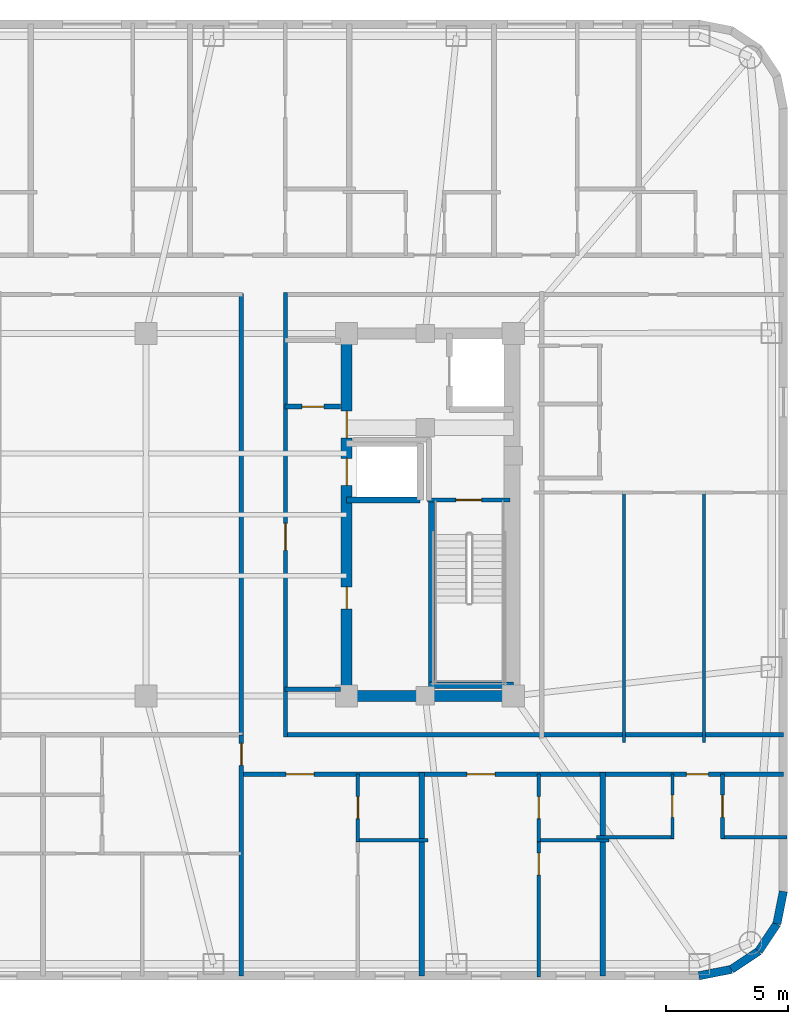
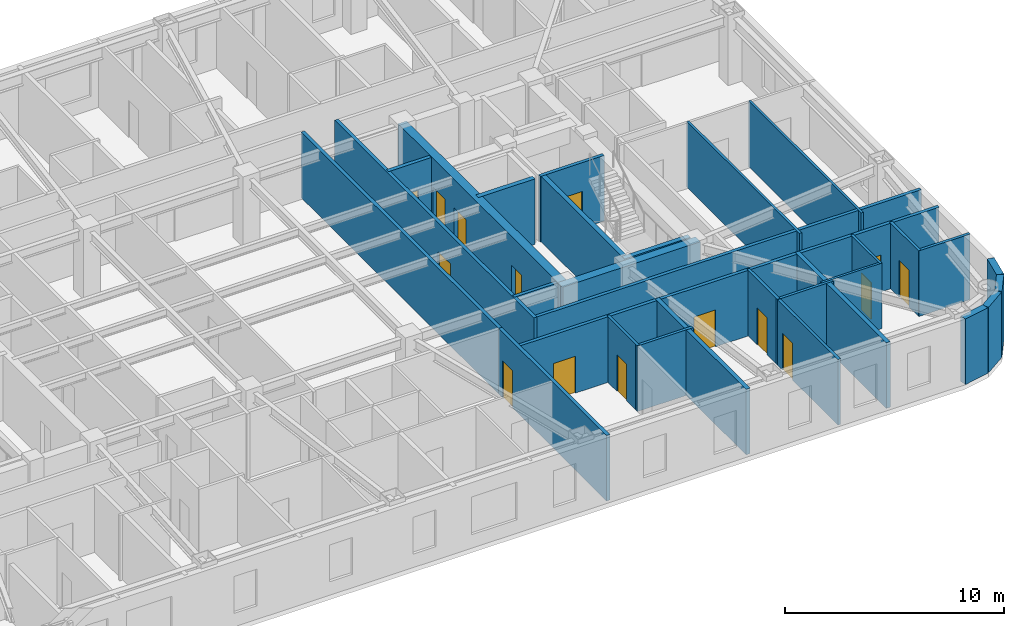
# One storey, part 6 of 11: 30 walls, 15 doors, 15 openings.
"""IFC4 building model written with IfcOpenShell, lengths in metres."""

import ifcopenshell
import ifcopenshell.guid

model = None  # the IFC model being written
_history = None  # IfcOwnerHistory: only IFC2X3 demands one
_inside = {}  # id of a spatial element -> (the spatial element, [elements in it])
_under = {}  # id of a project, library or spatial element -> (it, [spatial elements below it])
_declared = {}  # id of a project -> (the project, [libraries it declares])
_typed = {}  # id of a type object -> (the type object, [elements of that type])
_made_of = {}  # id of a material, layer set ... -> (it, [elements and type objects made of it])


def new_model(schema):
    """Start an empty IFC model of exactly this schema.

    Asked for "IFC4X3", IfcOpenShell would pick the latest addendum, in which some entities
    have other attributes; the version numbers below select the first issue.
    IFC2X3 requires an IfcOwnerHistory on every rooted entity: one is made here for all.
    """
    global model, _history
    if schema == "IFC4X3":
        model = ifcopenshell.file(schema_version=(4, 3, 0, 0))
    else:
        model = ifcopenshell.file(schema=schema)
    _inside.clear()
    _under.clear()
    _declared.clear()
    _typed.clear()
    _made_of.clear()
    _history = None
    if model.schema == "IFC2X3":
        org = make("IfcOrganization", Name="unknown")
        user = make(
            "IfcPersonAndOrganization",
            ThePerson=make("IfcPerson", FamilyName="unknown"),
            TheOrganization=org,
        )
        app = make(
            "IfcApplication",
            ApplicationDeveloper=org,
            Version="unknown",
            ApplicationFullName="unknown",
            ApplicationIdentifier="unknown",
        )
        _history = make(
            "IfcOwnerHistory",
            OwningUser=user,
            OwningApplication=app,
            ChangeAction="ADDED",
            CreationDate=0,
        )
    return model


def make(cls, **values):
    """One entity of the class cls with the attributes given. An attribute that is None is left unset."""
    return model.create_entity(
        cls, **{name: value for name, value in values.items() if value is not None}
    )


def rooted(cls, **values):
    """An entity with a GlobalId (a new one), such as an element, a storey or a relation."""
    return make(cls, GlobalId=ifcopenshell.guid.new(), OwnerHistory=_history, **values)


def si_unit(unit_type, name, prefix=None):
    """IfcSIUnit, for example si_unit("LENGTHUNIT", "METRE", prefix="MILLI")."""
    return make("IfcSIUnit", UnitType=unit_type, Prefix=prefix, Name=name)


def assignment(units):
    """IfcUnitAssignment: the units of a project."""
    return None if units is None else make("IfcUnitAssignment", Units=units)


def point(xyz):
    """IfcCartesianPoint."""
    return None if xyz is None else make("IfcCartesianPoint", Coordinates=xyz)


def direction(xyz):
    """IfcDirection."""
    return None if xyz is None else make("IfcDirection", DirectionRatios=xyz)


def frame(location, z_axis=None, x_axis=None):
    """IfcAxis2Placement3D, a coordinate frame: its origin and axes. An axis left out is left unset."""
    return make(
        "IfcAxis2Placement3D",
        Location=point(location),
        Axis=direction(z_axis),
        RefDirection=direction(x_axis),
    )


def frame_2d(location, x_axis=None):
    """IfcAxis2Placement2D, a coordinate frame in the plane: its origin and x axis."""
    return make(
        "IfcAxis2Placement2D", Location=point(location), RefDirection=direction(x_axis)
    )


def origin():
    """The frame at (0, 0, 0) with its axes left unset."""
    return frame((0.0, 0.0, 0.0))


def place(relative_to, where):
    """IfcLocalPlacement: puts the frame where relative to a parent placement (None: the world)."""
    return make(
        "IfcLocalPlacement", PlacementRelTo=relative_to, RelativePlacement=where
    )


def context(
    kind, dimensions, precision=None, world=None, true_north=None, identifier=None
):
    """IfcGeometricRepresentationContext, for example the 3D "Model" context."""
    return make(
        "IfcGeometricRepresentationContext",
        ContextIdentifier=identifier,
        ContextType=kind,
        CoordinateSpaceDimension=dimensions,
        Precision=precision,
        WorldCoordinateSystem=world,
        TrueNorth=true_north,
    )


def subcontext(parent, identifier, kind, view, scale=None):
    """IfcGeometricRepresentationSubContext, for example "Body" below "Model"."""
    return make(
        "IfcGeometricRepresentationSubContext",
        ContextIdentifier=identifier,
        ContextType=kind,
        ParentContext=parent,
        TargetScale=scale,
        TargetView=view,
    )


def project(units=None, contexts=None):
    """IfcProject with its units and contexts."""
    return rooted(
        "IfcProject",
        Name="project",
        RepresentationContexts=contexts,
        UnitsInContext=assignment(units),
    )


def spatial(cls, under=None, at=None, **own):
    """A site, building, storey or space (cls), placed at a placement, below another one or the project."""
    s = rooted(cls, ObjectPlacement=at, **own)
    if under is not None:
        _under.setdefault(under.id(), (under, []))[1].append(s)
    return s


def profile(cls, at=None, kind="AREA", **sizes):
    """A parametric profile (cls). Its sizes go by their IFC names, for example OverallWidth=200.0."""
    return make(cls, ProfileType=kind, Position=at, **sizes)


def rectangle(**sizes):
    """IfcRectangleProfileDef."""
    return profile("IfcRectangleProfileDef", **sizes)


def extrude(swept, where, along, depth):
    """IfcExtrudedAreaSolid: the profile swept, set in the frame where, extruded along a direction by depth."""
    return make(
        "IfcExtrudedAreaSolid",
        SweptArea=swept,
        Position=where,
        ExtrudedDirection=direction(along),
        Depth=depth,
    )


def shape(context_of_items, identifier, shape_type, items):
    """IfcShapeRepresentation: the items that make up one representation, for example the "Body"."""
    return make(
        "IfcShapeRepresentation",
        ContextOfItems=context_of_items,
        RepresentationIdentifier=identifier,
        RepresentationType=shape_type,
        Items=items,
    )


def material(Name=None, Category=None):
    """IfcMaterial."""
    return make("IfcMaterial", Name=Name, Category=Category)


def layer(
    of_material, thickness, ventilated=None, Name=None, Category=None, Priority=None
):
    """IfcMaterialLayer: one layer of a wall or slab, of a material (None: an air gap)."""
    return make(
        "IfcMaterialLayer",
        Material=of_material,
        LayerThickness=thickness,
        IsVentilated=ventilated,
        Name=Name,
        Category=Category,
        Priority=Priority,
    )


def layer_set(layers, Name=None):
    """IfcMaterialLayerSet."""
    return make("IfcMaterialLayerSet", MaterialLayers=layers, LayerSetName=Name)


def made_of(thing, what):
    """Note that an element or type object is made of a material, layer set ...; save() writes the relation."""
    if what is not None:
        _made_of.setdefault(what.id(), (what, []))[1].append(thing)
    return thing


def type_object(cls, material=None, **own):
    """A type object (cls), such as IfcWallType, which elements share."""
    return made_of(rooted(cls, **own), material)


def element(
    cls,
    number,
    at=None,
    inside=None,
    cuts=None,
    type_object=None,
    material=None,
    context=None,
    identifier="Body",
    shape_type=None,
    held_by="IfcProductDefinitionShape",
    body=None,
    shapes=None,
    **own,
):
    """One element of the class cls, such as IfcWall. Its Tag is "e" and its number.

    at: its placement. inside: the storey or other place that contains it. cuts: it is an
    opening in that element (IfcRelVoidsElement). A single representation is given by context,
    identifier, shape_type and body (its items); several are given by shapes. held_by: the class
    of the entity that holds the representations. save() writes the other relations.
    """
    e = rooted(cls, Tag="e%d" % number, ObjectPlacement=at, **own)
    if body is not None:
        shapes = [shape(context, identifier, shape_type, body)]
    if shapes is not None:
        e.Representation = make(held_by, Representations=shapes)
    if inside is not None:
        _inside.setdefault(inside.id(), (inside, []))[1].append(e)
    if cuts is not None:
        rooted(
            "IfcRelVoidsElement", RelatingBuildingElement=cuts, RelatedOpeningElement=e
        )
    if type_object is not None:
        _typed.setdefault(type_object.id(), (type_object, []))[1].append(e)
    return made_of(e, material)


def fill(opening, filler):
    """IfcRelFillsElement: the door or window that sits in an opening."""
    return rooted(
        "IfcRelFillsElement",
        RelatingOpeningElement=opening,
        RelatedBuildingElement=filler,
    )


def aggregate(whole, parts):
    """IfcRelAggregates: a whole, such as a stair, and the parts it consists of."""
    return rooted("IfcRelAggregates", RelatingObject=whole, RelatedObjects=parts)


def save(model, path):
    """Write the relations noted so far, then the file.

    IfcRelAggregates (storeys below a building ...), IfcRelContainedInSpatialStructure (elements
    in a storey), IfcRelDefinesByType, IfcRelAssociatesMaterial and IfcRelDeclares: one each for
    every whole, place, type object, material and project.
    """
    for whole, parts in _under.values():
        aggregate(whole, parts)
    for where, things in _inside.values():
        rooted(
            "IfcRelContainedInSpatialStructure",
            RelatedElements=things,
            RelatingStructure=where,
        )
    for kind, things in _typed.values():
        rooted("IfcRelDefinesByType", RelatedObjects=things, RelatingType=kind)
    for what, things in _made_of.values():
        rooted("IfcRelAssociatesMaterial", RelatedObjects=things, RelatingMaterial=what)
    for by, libraries in _declared.values():
        rooted("IfcRelDeclares", RelatingContext=by, RelatedDefinitions=libraries)
    model.write(path)


model = new_model("IFC4")

# Units and contexts
model_context = context("Model", 3, precision=1e-05, world=origin(), true_north=direction((0.0, 1.0)))
body_context = subcontext(model_context, "Body", "Model", "MODEL_VIEW")
ifc_project = project(units=[si_unit("LENGTHUNIT", "METRE"), si_unit("AREAUNIT", "SQUARE_METRE"), si_unit("VOLUMEUNIT", "CUBIC_METRE"), si_unit("PLANEANGLEUNIT", "RADIAN"), si_unit("MASSUNIT", "GRAM", prefix="KILO")], contexts=[model_context])

# Site, building, storey
site_placement = place(None, origin())
site = spatial("IfcSite", under=ifc_project, at=site_placement, CompositionType="ELEMENT")
building_placement = place(site_placement, origin())
building = spatial("IfcBuilding", under=site, at=building_placement, Name="Voryun Gate Residences", CompositionType="ELEMENT")
storey_placement = place(building_placement, frame((0.0, 0.0, 247.0)))
storey = spatial("IfcBuildingStorey", under=building, at=storey_placement, Name="L61", CompositionType="ELEMENT", Elevation=247.0)

# Wall
ifc_material_1 = material(Name="Concrete C50/60", Category="concrete")
ifc_layer_1 = layer(ifc_material_1, 0.449951171875, Name="CW_CORE_450")
ifc_layer_set_1 = layer_set([ifc_layer_1], Name="Concrete C50/60")
wall_type_1 = type_object("IfcWallType", Name="CW_CORE_450", PredefinedType="SHEAR", material=ifc_layer_set_1)
wall_1_placement = place(storey_placement, frame((12.175048828125, -7.39990234375, 0.0), z_axis=(0.0, 0.0, 1.0), x_axis=(1.0, 0.0, 0.0)))
element("IfcWall", 1, at=wall_1_placement, inside=storey, type_object=wall_type_1, Name="L61 Core shear wall CW-L61-ES", PredefinedType="SHEAR", context=body_context, shape_type="SweptSolid", body=[
    extrude(rectangle(XDim=7.25, YDim=0.449951171875, at=frame_2d((3.625, 0.0))), origin(), (0.0, 0.0, 1.0), 3.64990234375),
])

# Wall, openings, doors
wall_2_placement = place(storey_placement, frame((12.39990234375, -7.39990234375, 0.0), z_axis=(0.0, 0.0, 1.0), x_axis=(0.0, 1.0, 0.0)))
wall_2 = element("IfcWall", 2, at=wall_2_placement, inside=storey, type_object=wall_type_1, Name="L61 Core shear wall CW-L61-EW", PredefinedType="SHEAR", context=body_context, shape_type="SweptSolid", body=[
    extrude(rectangle(XDim=14.7998046875, YDim=0.449951171875, at=frame_2d((7.39990234375, 0.0))), origin(), (0.0, 0.0, 1.0), 3.64990234375),
])
opening_1_placement = place(wall_2_placement, frame((8.60009765625, 0.0, 0.0)))
opening_1 = element("IfcOpeningElement", 3, at=opening_1_placement, cuts=wall_2, Name="Opening LD2", PredefinedType="OPENING", context=body_context, shape_type="SweptSolid", body=[
    extrude(rectangle(XDim=1.10009765625, YDim=2.050048828125, at=frame_2d((0.550048828125, 1.02490234375))), frame((0.0, 0.235107421875, 0.0), z_axis=(0.0, -1.0, 0.0), x_axis=(1.0, 0.0, 0.0)), (0.0, 0.0, 1.0), 0.469970703125),
])
opening_2_placement = place(wall_2_placement, frame((10.530029296875, 0.0, 0.0)))
opening_2 = element("IfcOpeningElement", 4, at=opening_2_placement, cuts=wall_2, Name="Opening D-FD60-2", PredefinedType="OPENING", context=body_context, shape_type="SweptSolid", body=[
    extrude(rectangle(XDim=1.10009765625, YDim=2.050048828125, at=frame_2d((0.550048828125, 1.02490234375))), frame((0.0, 0.235107421875, 0.0), z_axis=(0.0, -1.0, 0.0), x_axis=(1.0, 0.0, 0.0)), (0.0, 0.0, 1.0), 0.469970703125),
])
opening_3_placement = place(wall_2_placement, frame((3.550048828125, 0.0, 0.0)))
opening_3 = element("IfcOpeningElement", 5, at=opening_3_placement, cuts=wall_2, Name="Opening D-FD60-4", PredefinedType="OPENING", context=body_context, shape_type="SweptSolid", body=[
    extrude(rectangle(XDim=0.89990234375, YDim=2.050048828125, at=frame_2d((0.449951171875, 1.02490234375))), frame((0.0, 0.235107421875, 0.0), z_axis=(0.0, -1.0, 0.0), x_axis=(1.0, 0.0, 0.0)), (0.0, 0.0, 1.0), 0.469970703125),
])
ifc_material_2 = material(Name="Painted steel fire door", Category="steel")
door_type_1 = type_object("IfcDoorType", Name="DR_FD60_FFLOB_1100", OperationType="NOTDEFINED", PredefinedType="DOOR", material=ifc_material_2)
door_1_placement = place(opening_2_placement, origin())
door_1 = element("IfcDoor", 6, at=door_1_placement, inside=storey, type_object=door_type_1, Name="Door DR-L61-CLOB-E", OperationType="SINGLE_SWING_RIGHT", OverallHeight=2.050048828125, OverallWidth=1.10009765625, PredefinedType="DOOR", context=body_context, shape_type="SweptSolid", body=[
    extrude(rectangle(XDim=1.10009765625, YDim=2.050048828125, at=frame_2d((0.550048828125, 1.02490234375))), frame((0.0, 0.02490234375, 0.0), z_axis=(0.0, -1.0, 0.0), x_axis=(1.0, 0.0, 0.0)), (0.0, 0.0, 1.0), 0.050048828125),
])
fill(opening_2, door_1)
ifc_material_3 = material(Name="Painted steel fire door", Category="steel")
door_type_2 = type_object("IfcDoorType", Name="DR_FD60_RISER_900", OperationType="NOTDEFINED", PredefinedType="DOOR", material=ifc_material_3)
door_2_placement = place(opening_3_placement, origin())
door_2 = element("IfcDoor", 7, at=door_2_placement, inside=storey, type_object=door_type_2, Name="Door DR-L61-RECE-HI", OperationType="SINGLE_SWING_RIGHT", OverallHeight=2.050048828125, OverallWidth=0.89990234375, PredefinedType="DOOR", context=body_context, shape_type="SweptSolid", body=[
    extrude(rectangle(XDim=0.89990234375, YDim=2.050048828125, at=frame_2d((0.449951171875, 1.02490234375))), frame((0.0, 0.02490234375, 0.0), z_axis=(0.0, -1.0, 0.0), x_axis=(1.0, 0.0, 0.0)), (0.0, 0.0, 1.0), 0.050048828125),
])
fill(opening_3, door_2)
ifc_material_4 = material(Name="Anodised aluminium", Category="aluminium")
door_type_3 = type_object("IfcDoorType", Name="DR_LD_PASS_1100", OperationType="NOTDEFINED", PredefinedType="DOOR", material=ifc_material_4)
door_3_placement = place(opening_1_placement, origin())
door_3 = element("IfcDoor", 8, at=door_3_placement, inside=storey, type_object=door_type_3, Name="Lift EL-P8 sliding landing door L61", OperationType="SLIDING_TO_LEFT", OverallHeight=2.050048828125, OverallWidth=1.10009765625, PredefinedType="DOOR", context=body_context, shape_type="SweptSolid", body=[
    extrude(rectangle(XDim=1.10009765625, YDim=2.050048828125, at=frame_2d((0.550048828125, 1.02490234375))), frame((0.0, 0.02490234375, 0.0), z_axis=(0.0, -1.0, 0.0), x_axis=(1.0, 0.0, 0.0)), (0.0, 0.0, 1.0), 0.050048828125),
])
fill(opening_1, door_3)

# Wall, opening, door
ifc_material_5 = material(Name="Gypsum acoustic fireboard")
ifc_layer_2 = layer(ifc_material_5, 0.179931640625, Name="W_CORR_RATED_180")
ifc_layer_set_2 = layer_set([ifc_layer_2], Name="Gypsum acoustic fireboard")
wall_type_2 = type_object("IfcWallType", Name="W_CORR_RATED_180", PredefinedType="PARTITIONING", material=ifc_layer_set_2)
wall_3_placement = place(storey_placement, frame((15.699951171875, 0.60009765625, 0.0), z_axis=(0.0, 0.0, 1.0), x_axis=(1.0, 0.0, 0.0)))
wall_3 = element("IfcWall", 9, at=wall_3_placement, inside=storey, type_object=wall_type_2, Name="Partition wall WP-L61-STV-E", PredefinedType="PARTITIONING", context=body_context, shape_type="SweptSolid", body=[
    extrude(rectangle(XDim=3.360107421875, YDim=0.179931640625, at=frame_2d((1.68017578125, 0.0))), origin(), (0.0, 0.0, 1.0), 3.64990234375),
])
opening_4_placement = place(wall_3_placement, frame((1.155029296875, 0.0, 0.0)))
opening_4 = element("IfcOpeningElement", 10, at=opening_4_placement, cuts=wall_3, Name="Opening D-FD60-1", PredefinedType="OPENING", context=body_context, shape_type="SweptSolid", body=[
    extrude(rectangle(XDim=1.050048828125, YDim=2.050048828125, at=frame_2d((0.52490234375, 1.02490234375))), frame((0.0, 0.099853515625, 0.0), z_axis=(0.0, -1.0, 0.0), x_axis=(1.0, 0.0, 0.0)), (0.0, 0.0, 1.0), 0.199951171875),
])
ifc_material_6 = material(Name="Painted steel fire door", Category="steel")
door_type_4 = type_object("IfcDoorType", Name="DR_FD60_STAIR_1050", OperationType="NOTDEFINED", PredefinedType="DOOR", material=ifc_material_6)
door_4_placement = place(opening_4_placement, origin())
door_4 = element("IfcDoor", 11, at=door_4_placement, inside=storey, type_object=door_type_4, Name="Door DR-L61-ST-E", OperationType="SINGLE_SWING_RIGHT", OverallHeight=2.050048828125, OverallWidth=1.050048828125, PredefinedType="DOOR", context=body_context, shape_type="SweptSolid", body=[
    extrude(rectangle(XDim=1.050048828125, YDim=2.050048828125, at=frame_2d((0.52490234375, 1.02490234375))), frame((0.0, 0.02490234375, 0.0), z_axis=(0.0, -1.0, 0.0), x_axis=(1.0, 0.0, 0.0)), (0.0, 0.0, 1.0), 0.050048828125),
])
fill(opening_4, door_4)

# Wall
wall_4_placement = place(storey_placement, frame((9.8798828125, -7.1201171875, 0.0), z_axis=(0.0, 0.0, 1.0), x_axis=(1.0, 0.0, 0.0)))
element("IfcWall", 12, at=wall_4_placement, inside=storey, type_object=wall_type_2, Name="Partition wall WP-L61-PLBS-E", PredefinedType="PARTITIONING", context=body_context, shape_type="SweptSolid", body=[
    extrude(rectangle(XDim=2.27001953125, YDim=0.179931640625, at=frame_2d((1.135009765625, 0.0))), origin(), (0.0, 0.0, 1.0), 3.64990234375),
])

# Wall, opening, door
wall_5_placement = place(storey_placement, frame((9.89990234375, -9.080078125, 0.0), z_axis=(0.0, 0.0, 1.0), x_axis=(0.0, 1.0, 0.0)))
wall_5 = element("IfcWall", 13, at=wall_5_placement, inside=storey, type_object=wall_type_2, Name="Partition wall WP-L61-PLBE-FULL", PredefinedType="PARTITIONING", context=body_context, shape_type="SweptSolid", body=[
    extrude(rectangle(XDim=18.16015625, YDim=0.179931640625, at=frame_2d((9.080078125, 0.0))), origin(), (0.0, 0.0, 1.0), 3.64990234375),
])
opening_5_placement = place(wall_5_placement, frame((7.6220703125, 0.0, 0.0)))
opening_5 = element("IfcOpeningElement", 14, at=opening_5_placement, cuts=wall_5, Name="Opening D-FD60-2", PredefinedType="OPENING", context=body_context, shape_type="SweptSolid", body=[
    extrude(rectangle(XDim=1.10009765625, YDim=2.050048828125, at=frame_2d((0.550048828125, 1.02490234375))), frame((0.0, 0.099853515625, 0.0), z_axis=(0.0, -1.0, 0.0), x_axis=(1.0, 0.0, 0.0)), (0.0, 0.0, 1.0), 0.199951171875),
])
door_5_placement = place(opening_5_placement, origin())
door_5 = element("IfcDoor", 15, at=door_5_placement, inside=storey, type_object=door_type_1, Name="Door DR-L61-PLBE-COR", OperationType="SINGLE_SWING_RIGHT", OverallHeight=2.050048828125, OverallWidth=1.10009765625, PredefinedType="DOOR", context=body_context, shape_type="SweptSolid", body=[
    extrude(rectangle(XDim=1.10009765625, YDim=2.050048828125, at=frame_2d((0.550048828125, 1.02490234375))), frame((0.0, 0.02490234375, 0.0), z_axis=(0.0, -1.0, 0.0), x_axis=(1.0, 0.0, 0.0)), (0.0, 0.0, 1.0), 0.050048828125),
])
fill(opening_5, door_5)

# Walls
wall_6_placement = place(storey_placement, frame((9.8798828125, -8.989990234375, 0.0), z_axis=(0.0, 0.0, 1.0), x_axis=(1.0, 0.0, 0.0)))
element("IfcWall", 16, at=wall_6_placement, inside=storey, type_object=wall_type_2, Name="Partition wall WP-L61-CWING-ES", PredefinedType="PARTITIONING", context=body_context, shape_type="SweptSolid", body=[
    extrude(rectangle(XDim=20.35009765625, YDim=0.179931640625, at=frame_2d((10.175048828125, 0.0))), origin(), (0.0, 0.0, 1.0), 3.64990234375),
])
wall_7_placement = place(storey_placement, frame((8.10009765625, -9.030029296875, 0.0), z_axis=(0.0, 0.0, 1.0), x_axis=(0.0, 1.0, 0.0)))
element("IfcWall", 17, at=wall_7_placement, inside=storey, type_object=wall_type_2, Name="Partition wall WP-L61-Z3E", PredefinedType="PARTITIONING", context=body_context, shape_type="SweptSolid", body=[
    extrude(rectangle(XDim=18.06005859375, YDim=0.179931640625, at=frame_2d((9.030029296875, 0.0))), origin(), (0.0, 0.0, 1.0), 3.64990234375),
])

# Wall, openings, doors
wall_8_placement = place(storey_placement, frame((8.080078125, -10.60009765625, 0.0), z_axis=(0.0, 0.0, 1.0), x_axis=(1.0, 0.0, 0.0)))
wall_8 = element("IfcWall", 18, at=wall_8_placement, inside=storey, type_object=wall_type_2, Name="Partition wall WP-L61-SCORR-E", PredefinedType="PARTITIONING", context=body_context, shape_type="SweptSolid", body=[
    extrude(rectangle(XDim=22.14990234375, YDim=0.179931640625, at=frame_2d((11.074951171875, 0.0))), origin(), (0.0, 0.0, 1.0), 3.64990234375),
])
opening_6_placement = place(wall_8_placement, frame((1.84375, 0.0, 0.0)))
opening_6 = element("IfcOpeningElement", 19, at=opening_6_placement, cuts=wall_8, Name="Opening D-UNIT-1", PredefinedType="OPENING", context=body_context, shape_type="SweptSolid", body=[
    extrude(rectangle(XDim=1.14990234375, YDim=2.050048828125, at=frame_2d((0.574951171875, 1.02490234375))), frame((0.0, 0.099853515625, 0.0), z_axis=(0.0, -1.0, 0.0), x_axis=(1.0, 0.0, 0.0)), (0.0, 0.0, 1.0), 0.199951171875),
])
opening_7_placement = place(wall_8_placement, frame((9.228515625, 0.0, 0.0)))
opening_7 = element("IfcOpeningElement", 20, at=opening_7_placement, cuts=wall_8, Name="Opening D-UNIT-1", PredefinedType="OPENING", context=body_context, shape_type="SweptSolid", body=[
    extrude(rectangle(XDim=1.14990234375, YDim=2.050048828125, at=frame_2d((0.574951171875, 1.02490234375))), frame((0.0, 0.099853515625, 0.0), z_axis=(0.0, -1.0, 0.0), x_axis=(1.0, 0.0, 0.0)), (0.0, 0.0, 1.0), 0.199951171875),
])
opening_8_placement = place(wall_8_placement, frame((18.19140625, 0.0, 0.0)))
opening_8 = element("IfcOpeningElement", 21, at=opening_8_placement, cuts=wall_8, Name="Opening D-INT-2", PredefinedType="OPENING", context=body_context, shape_type="SweptSolid", body=[
    extrude(rectangle(XDim=0.89990234375, YDim=2.050048828125, at=frame_2d((0.449951171875, 1.02490234375))), frame((0.0, 0.099853515625, 0.0), z_axis=(0.0, -1.0, 0.0), x_axis=(1.0, 0.0, 0.0)), (0.0, 0.0, 1.0), 0.199951171875),
])
ifc_material_7 = material(Name="Architectural oak veneer")
door_type_5 = type_object("IfcDoorType", Name="DR_INT_BATH_900", OperationType="NOTDEFINED", PredefinedType="DOOR", material=ifc_material_7)
door_6_placement = place(opening_8_placement, origin())
door_6 = element("IfcDoor", 22, at=door_6_placement, inside=storey, type_object=door_type_5, Name="Door DR-L61-SENT-7", OperationType="SINGLE_SWING_RIGHT", OverallHeight=2.050048828125, OverallWidth=0.89990234375, PredefinedType="DOOR", context=body_context, shape_type="SweptSolid", body=[
    extrude(rectangle(XDim=0.89990234375, YDim=2.050048828125, at=frame_2d((0.449951171875, 1.02490234375))), frame((0.0, 0.02490234375, 0.0), z_axis=(0.0, -1.0, 0.0), x_axis=(1.0, 0.0, 0.0)), (0.0, 0.0, 1.0), 0.050048828125),
])
fill(opening_8, door_6)
ifc_material_8 = material(Name="Armoured timber-clad fire door", Category="wood")
door_type_6 = type_object("IfcDoorType", Name="DR_UNIT_ENTRY_1150", OperationType="NOTDEFINED", PredefinedType="DOOR", material=ifc_material_8)
door_7_placement = place(opening_6_placement, origin())
door_7 = element("IfcDoor", 23, at=door_7_placement, inside=storey, type_object=door_type_6, Name="Door DR-L61-SENT-5", OperationType="SINGLE_SWING_RIGHT", OverallHeight=2.050048828125, OverallWidth=1.14990234375, PredefinedType="DOOR", context=body_context, shape_type="SweptSolid", body=[
    extrude(rectangle(XDim=1.14990234375, YDim=2.050048828125, at=frame_2d((0.574951171875, 1.02490234375))), frame((0.0, 0.02490234375, 0.0), z_axis=(0.0, -1.0, 0.0), x_axis=(1.0, 0.0, 0.0)), (0.0, 0.0, 1.0), 0.050048828125),
])
fill(opening_6, door_7)
door_8_placement = place(opening_7_placement, origin())
door_8 = element("IfcDoor", 24, at=door_8_placement, inside=storey, type_object=door_type_6, Name="Door DR-L61-SENT-6", OperationType="SINGLE_SWING_LEFT", OverallHeight=2.050048828125, OverallWidth=1.14990234375, PredefinedType="DOOR", context=body_context, shape_type="SweptSolid", body=[
    extrude(rectangle(XDim=1.14990234375, YDim=2.050048828125, at=frame_2d((0.574951171875, 1.02490234375))), frame((0.0, 0.02490234375, 0.0), z_axis=(0.0, -1.0, 0.0), x_axis=(1.0, 0.0, 0.0)), (0.0, 0.0, 1.0), 0.050048828125),
])
fill(opening_7, door_8)

# Wall, opening, door
wall_9_placement = place(storey_placement, frame((8.10009765625, -18.830078125, 0.0), z_axis=(0.0, 0.0, 1.0), x_axis=(0.0, 1.0, 0.0)))
wall_9 = element("IfcWall", 25, at=wall_9_placement, inside=storey, type_object=wall_type_2, Name="Partition wall WP-L61-SZV-2", PredefinedType="PARTITIONING", context=body_context, shape_type="SweptSolid", body=[
    extrude(rectangle(XDim=9.840087890625, YDim=0.179931640625, at=frame_2d((4.919921875, 0.0))), origin(), (0.0, 0.0, 1.0), 3.64990234375),
])
opening_9_placement = place(wall_9_placement, frame((8.590087890625, 0.0, 0.0)))
opening_9 = element("IfcOpeningElement", 26, at=opening_9_placement, cuts=wall_9, Name="Opening D-INT-2", PredefinedType="OPENING", context=body_context, shape_type="SweptSolid", body=[
    extrude(rectangle(XDim=0.89990234375, YDim=2.050048828125, at=frame_2d((0.449951171875, 1.02490234375))), frame((0.0, 0.099853515625, 0.0), z_axis=(0.0, -1.0, 0.0), x_axis=(1.0, 0.0, 0.0)), (0.0, 0.0, 1.0), 0.199951171875),
])
door_9_placement = place(opening_9_placement, origin())
door_9 = element("IfcDoor", 27, at=door_9_placement, inside=storey, type_object=door_type_5, Name="Door DR-L61-SZENT-2", OperationType="SINGLE_SWING_RIGHT", OverallHeight=2.050048828125, OverallWidth=0.89990234375, PredefinedType="DOOR", context=body_context, shape_type="SweptSolid", body=[
    extrude(rectangle(XDim=0.89990234375, YDim=2.050048828125, at=frame_2d((0.449951171875, 1.02490234375))), frame((0.0, 0.02490234375, 0.0), z_axis=(0.0, -1.0, 0.0), x_axis=(1.0, 0.0, 0.0)), (0.0, 0.0, 1.0), 0.050048828125),
])
fill(opening_9, door_9)

# Walls
ifc_material_9 = material(Name="Charcoal terracotta masonry", Category="masonry")
ifc_layer_3 = layer(ifc_material_9, 0.340087890625, Name="W_EXT_TERRACOTTA_340")
ifc_layer_set_3 = layer_set([ifc_layer_3], Name="Charcoal terracotta masonry")
wall_type_3 = type_object("IfcWallType", Name="W_EXT_TERRACOTTA_340", PredefinedType="ELEMENTEDWALL", material=ifc_layer_set_3)
wall_10_placement = place(storey_placement, frame((30.22998046875, -15.38330078125, 0.0), z_axis=(0.0, 0.0, 1.0), x_axis=(-0.195110379894, -0.98078129043, 0.0)))
element("IfcWall", 28, at=wall_10_placement, inside=storey, type_object=wall_type_3, Name="Exterior wall WEXT-L61-17", PredefinedType="ELEMENTEDWALL", context=body_context, shape_type="SweptSolid", body=[
    extrude(rectangle(XDim=1.35400390625, YDim=0.340087890625, at=frame_2d((0.677001953125, 0.0))), origin(), (0.0, 0.0, 1.0), 3.64990234375),
])
wall_11_placement = place(storey_placement, frame((29.9658203125, -16.711181640625, 0.0), z_axis=(0.0, 0.0, 1.0), x_axis=(-0.555584683399, -0.831459956686, 0.0)))
element("IfcWall", 29, at=wall_11_placement, inside=storey, type_object=wall_type_3, Name="Exterior wall WEXT-L61-18", PredefinedType="ELEMENTEDWALL", context=body_context, shape_type="SweptSolid", body=[
    extrude(rectangle(XDim=1.337158203125, YDim=0.340087890625, at=frame_2d((0.66845703125, 0.0))), origin(), (0.0, 0.0, 1.0), 3.64990234375),
])
wall_12_placement = place(storey_placement, frame((29.222900390625, -17.822998046875, 0.0), z_axis=(0.0, 0.0, 1.0), x_axis=(-0.831403586725, -0.555669034571, 0.0)))
element("IfcWall", 30, at=wall_12_placement, inside=storey, type_object=wall_type_3, Name="Exterior wall WEXT-L61-19", PredefinedType="ELEMENTEDWALL", context=body_context, shape_type="SweptSolid", body=[
    extrude(rectangle(XDim=1.3369140625, YDim=0.340087890625, at=frame_2d((0.66845703125, 0.0))), origin(), (0.0, 0.0, 1.0), 3.64990234375),
])
wall_13_placement = place(storey_placement, frame((28.111328125, -18.56591796875, 0.0), z_axis=(0.0, 0.0, 1.0), x_axis=(-0.980788153188, -0.195075878998, 0.0)))
element("IfcWall", 31, at=wall_13_placement, inside=storey, type_object=wall_type_3, Name="Exterior wall WEXT-L61-20", PredefinedType="ELEMENTEDWALL", context=body_context, shape_type="SweptSolid", body=[
    extrude(rectangle(XDim=1.354248046875, YDim=0.340087890625, at=frame_2d((0.67724609375, 0.0))), origin(), (0.0, 0.0, 1.0), 3.64990234375),
])

# Wall, opening, door
ifc_material_10 = material(Name="Concrete C40/50", Category="concrete")
ifc_layer_4 = layer(ifc_material_10, 0.199951171875, Name="W_FF_LOBBY_200")
ifc_layer_set_4 = layer_set([ifc_layer_4], Name="Concrete C40/50")
wall_type_4 = type_object("IfcWallType", Name="W_FF_LOBBY_200", PredefinedType="PARTITIONING", material=ifc_layer_set_4)
wall_14_placement = place(storey_placement, frame((9.8798828125, 4.409912109375, 0.0), z_axis=(0.0, 0.0, 1.0), x_axis=(1.0, 0.0, 0.0)))
wall_14 = element("IfcWall", 32, at=wall_14_placement, inside=storey, type_object=wall_type_4, Name="Partition wall WP-L61-CSFLKS-E", PredefinedType="PARTITIONING", context=body_context, shape_type="SweptSolid", body=[
    extrude(rectangle(XDim=2.27001953125, YDim=0.199951171875, at=frame_2d((1.135009765625, 0.0))), origin(), (0.0, 0.0, 1.0), 3.64990234375),
])
opening_10_placement = place(wall_14_placement, frame((0.68505859375, 0.0, 0.0)))
opening_10 = element("IfcOpeningElement", 33, at=opening_10_placement, cuts=wall_14, Name="Opening D-FD60-4", PredefinedType="OPENING", context=body_context, shape_type="SweptSolid", body=[
    extrude(rectangle(XDim=0.89990234375, YDim=2.050048828125, at=frame_2d((0.449951171875, 1.02490234375))), frame((0.0, 0.110107421875, 0.0), z_axis=(0.0, -1.0, 0.0), x_axis=(1.0, 0.0, 0.0)), (0.0, 0.0, 1.0), 0.219970703125),
])
door_10_placement = place(opening_10_placement, origin())
door_10 = element("IfcDoor", 34, at=door_10_placement, inside=storey, type_object=door_type_2, Name="Door DR-L61-CSFLK-E", OperationType="SINGLE_SWING_RIGHT", OverallHeight=2.050048828125, OverallWidth=0.89990234375, PredefinedType="DOOR", context=body_context, shape_type="SweptSolid", body=[
    extrude(rectangle(XDim=0.89990234375, YDim=2.050048828125, at=frame_2d((0.449951171875, 1.02490234375))), frame((0.0, 0.02490234375, 0.0), z_axis=(0.0, -1.0, 0.0), x_axis=(1.0, 0.0, 0.0)), (0.0, 0.0, 1.0), 0.050048828125),
])
fill(opening_10, door_10)

# Walls
ifc_material_11 = material(Name="Concrete C40/50", Category="concrete")
ifc_layer_5 = layer(ifc_material_11, 0.219970703125, Name="W_PARTY_ACOUSTIC_220")
ifc_layer_set_5 = layer_set([ifc_layer_5], Name="Concrete C40/50")
wall_type_5 = type_object("IfcWallType", Name="W_PARTY_ACOUSTIC_220", PredefinedType="PARTITIONING", material=ifc_layer_set_5)
for number, where, z_axis, x_axis, name in (
    (35, (15.466064453125, -18.830078125, 0.0), (0.0, 0.0, 1.0), (0.0, 1.0, 0.0), "Partition wall WP-L61-SPTY-5"),
    (36, (22.85107421875, -18.830078125, 0.0), (0.0, 0.0, 1.0), (0.0, 1.0, 0.0), "Partition wall WP-L61-SPTY-6"),
):
    element("IfcWall", number, at=place(storey_placement, frame(where, z_axis=z_axis, x_axis=x_axis)), inside=storey, type_object=wall_type_5, Name=name, PredefinedType="PARTITIONING", context=body_context, shape_type="SweptSolid", body=[
        extrude(rectangle(XDim=8.31005859375, YDim=0.219970703125, at=frame_2d((4.155029296875, 0.0))), origin(), (0.0, 0.0, 1.0), 3.64990234375),
    ])
ifc_material_12 = material(Name="Concrete C50/60", Category="concrete")
ifc_layer_6 = layer(ifc_material_12, 0.25, Name="W_SHAFT_RC250")
ifc_layer_set_6 = layer_set([ifc_layer_6], Name="Concrete C50/60")
wall_type_6 = type_object("IfcWallType", Name="W_SHAFT_RC250", PredefinedType="SOLIDWALL", material=ifc_layer_set_6)
wall_15_placement = place(storey_placement, frame((15.860107421875, -7.0849609375, 0.0), z_axis=(0.0, 0.0, 1.0), x_axis=(0.0, 1.0, 0.0)))
element("IfcWall", 37, at=wall_15_placement, inside=storey, type_object=wall_type_6, Name="L61 Stair shaft structural wall E-STL", PredefinedType="SOLIDWALL", context=body_context, shape_type="SweptSolid", body=[
    extrude(rectangle(XDim=7.68505859375, YDim=0.25, at=frame_2d((3.842529296875, 0.0))), origin(), (0.0, 0.0, 1.0), 3.64990234375),
])
wall_16_placement = place(storey_placement, frame((15.739990234375, -6.965087890625, 0.0), z_axis=(0.0, 0.0, 1.0), x_axis=(1.0, 0.0, 0.0)))
element("IfcWall", 38, at=wall_16_placement, inside=storey, type_object=wall_type_6, Name="L61 Stair shaft structural wall E-STS", PredefinedType="SOLIDWALL", context=body_context, shape_type="SweptSolid", body=[
    extrude(rectangle(XDim=3.4599609375, YDim=0.25, at=frame_2d((1.72998046875, 0.0))), origin(), (0.0, 0.0, 1.0), 3.64990234375),
])
wall_17_placement = place(storey_placement, frame((12.39990234375, 0.60009765625, 0.0), z_axis=(0.0, 0.0, 1.0), x_axis=(1.0, 0.0, 0.0)))
element("IfcWall", 39, at=wall_17_placement, inside=storey, type_object=wall_type_6, Name="Lift shaft wall WSH-L61-EL-P8-S", PredefinedType="SOLIDWALL", context=body_context, shape_type="SweptSolid", body=[
    extrude(rectangle(XDim=3.0, YDim=0.25, at=frame_2d((1.5, 0.0))), origin(), (0.0, 0.0, 1.0), 3.64990234375),
])

# Wall, opening, door
ifc_material_13 = material(Name="Gypsum acoustic partition")
ifc_layer_7 = layer(ifc_material_13, 0.125, Name="W_UNIT_PART_125")
ifc_layer_set_7 = layer_set([ifc_layer_7], Name="Gypsum acoustic partition")
wall_type_7 = type_object("IfcWallType", Name="W_UNIT_PART_125", PredefinedType="PARTITIONING", material=ifc_layer_set_7)
wall_18_placement = place(storey_placement, frame((25.695068359375, -13.22998046875, 0.0), z_axis=(0.0, 0.0, 1.0), x_axis=(0.0, 1.0, 0.0)))
wall_18 = element("IfcWall", 40, at=wall_18_placement, inside=storey, type_object=wall_type_7, Name="Partition wall WP-L61-S7-CVK", PredefinedType="PARTITIONING", context=body_context, shape_type="SweptSolid", body=[
    extrude(rectangle(XDim=2.64990234375, YDim=0.125, at=frame_2d((1.324951171875, 0.0))), origin(), (0.0, 0.0, 1.0), 3.64990234375),
])
opening_11_placement = place(wall_18_placement, frame((0.875, 0.0, 0.0)))
opening_11 = element("IfcOpeningElement", 41, at=opening_11_placement, cuts=wall_18, Name="Opening D-INT-2", PredefinedType="OPENING", context=body_context, shape_type="SweptSolid", body=[
    extrude(rectangle(XDim=0.89990234375, YDim=2.050048828125, at=frame_2d((0.449951171875, 1.02490234375))), frame((0.0, 0.072509765625, 0.0), z_axis=(0.0, -1.0, 0.0), x_axis=(1.0, 0.0, 0.0)), (0.0, 0.0, 1.0), 0.14501953125),
])
door_11_placement = place(opening_11_placement, origin())
door_11 = element("IfcDoor", 42, at=door_11_placement, inside=storey, type_object=door_type_5, Name="Door DR-L61-S7-DK", OperationType="SINGLE_SWING_LEFT", OverallHeight=2.050048828125, OverallWidth=0.89990234375, PredefinedType="DOOR", context=body_context, shape_type="SweptSolid", body=[
    extrude(rectangle(XDim=0.89990234375, YDim=2.050048828125, at=frame_2d((0.449951171875, 1.02490234375))), frame((0.0, 0.02490234375, 0.0), z_axis=(0.0, -1.0, 0.0), x_axis=(1.0, 0.0, 0.0)), (0.0, 0.0, 1.0), 0.050048828125),
])
fill(opening_11, door_11)

# Walls
wall_19_placement = place(storey_placement, frame((22.591064453125, -13.169921875, 0.0), z_axis=(0.0, 0.0, 1.0), x_axis=(1.0, 0.0, 0.0)))
element("IfcWall", 43, at=wall_19_placement, inside=storey, type_object=wall_type_7, Name="Partition wall WP-L61-S7-CHK", PredefinedType="PARTITIONING", context=body_context, shape_type="SweptSolid", body=[
    extrude(rectangle(XDim=3.163818359375, YDim=0.125, at=frame_2d((1.58203125, 0.0))), origin(), (0.0, 0.0, 1.0), 3.64990234375),
])
for number, where, z_axis, x_axis, name in (
    (44, (26.98095703125, -9.31005859375, 0.0), (0.0, 0.0, 1.0), (0.0, 1.0, 0.0), "Partition wall WP-L61-E1-VMB2"),
    (45, (23.72509765625, -9.31005859375, 0.0), (0.0, 0.0, 1.0), (0.0, 1.0, 0.0), "Partition wall WP-L61-E1-VMB"),
):
    element("IfcWall", number, at=place(storey_placement, frame(where, z_axis=z_axis, x_axis=x_axis)), inside=storey, type_object=wall_type_7, Name=name, PredefinedType="PARTITIONING", context=body_context, shape_type="SweptSolid", body=[
        extrude(rectangle(XDim=10.280029296875, YDim=0.125, at=frame_2d((5.14013671875, 0.0))), origin(), (0.0, 0.0, 1.0), 3.64990234375),
    ])
ifc_material_14 = material(Name="Gypsum moisture-resistant partition")
ifc_layer_8 = layer(ifc_material_14, 0.14990234375, Name="W_WET_PLUMB_150")
ifc_layer_set_8 = layer_set([ifc_layer_8], Name="Gypsum moisture-resistant partition")
wall_type_8 = type_object("IfcWallType", Name="W_WET_PLUMB_150", PredefinedType="PLUMBINGWALL", material=ifc_layer_set_8)
wall_20_placement = place(storey_placement, frame((12.77587890625, -13.300048828125, 0.0), z_axis=(0.0, 0.0, 1.0), x_axis=(1.0, 0.0, 0.0)))
element("IfcWall", 46, at=wall_20_placement, inside=storey, type_object=wall_type_8, Name="Partition wall WP-L61-S5-SKB", PredefinedType="PLUMBINGWALL", context=body_context, shape_type="SweptSolid", body=[
    extrude(rectangle(XDim=2.9501953125, YDim=0.14990234375, at=frame_2d((1.47509765625, 0.0))), origin(), (0.0, 0.0, 1.0), 3.64990234375),
])

# Wall, opening, door
wall_21_placement = place(storey_placement, frame((12.85595703125, -13.340087890625, 0.0), z_axis=(0.0, 0.0, 1.0), x_axis=(0.0, 1.0, 0.0)))
wall_21 = element("IfcWall", 47, at=wall_21_placement, inside=storey, type_object=wall_type_8, Name="Partition wall WP-L61-S5-SVT2", PredefinedType="PLUMBINGWALL", context=body_context, shape_type="SweptSolid", body=[
    extrude(rectangle(XDim=2.760009765625, YDim=0.14990234375, at=frame_2d((1.3798828125, 0.0))), origin(), (0.0, 0.0, 1.0), 3.64990234375),
])
opening_12_placement = place(wall_21_placement, frame((0.929931640625, 0.0, 0.0)))
opening_12 = element("IfcOpeningElement", 48, at=opening_12_placement, cuts=wall_21, Name="Opening D-INT-2", PredefinedType="OPENING", context=body_context, shape_type="SweptSolid", body=[
    extrude(rectangle(XDim=0.89990234375, YDim=2.050048828125, at=frame_2d((0.449951171875, 1.02490234375))), frame((0.0, 0.0849609375, 0.0), z_axis=(0.0, -1.0, 0.0), x_axis=(1.0, 0.0, 0.0)), (0.0, 0.0, 1.0), 0.169921875),
])
door_12_placement = place(opening_12_placement, origin())
door_12 = element("IfcDoor", 49, at=door_12_placement, inside=storey, type_object=door_type_5, Name="Door DR-L61-S5-DB", OperationType="SINGLE_SWING_RIGHT", OverallHeight=2.050048828125, OverallWidth=0.89990234375, PredefinedType="DOOR", context=body_context, shape_type="SweptSolid", body=[
    extrude(rectangle(XDim=0.89990234375, YDim=2.050048828125, at=frame_2d((0.449951171875, 1.02490234375))), frame((0.0, 0.02490234375, 0.0), z_axis=(0.0, -1.0, 0.0), x_axis=(1.0, 0.0, 0.0)), (0.0, 0.0, 1.0), 0.050048828125),
])
fill(opening_12, door_12)

# Wall
wall_22_placement = place(storey_placement, frame((20.160888671875, -13.300048828125, 0.0), z_axis=(0.0, 0.0, 1.0), x_axis=(1.0, 0.0, 0.0)))
element("IfcWall", 50, at=wall_22_placement, inside=storey, type_object=wall_type_8, Name="Partition wall WP-L61-S6-SKB", PredefinedType="PLUMBINGWALL", context=body_context, shape_type="SweptSolid", body=[
    extrude(rectangle(XDim=2.9501953125, YDim=0.14990234375, at=frame_2d((1.47509765625, 0.0))), origin(), (0.0, 0.0, 1.0), 3.64990234375),
])

# Wall, opening, door
wall_23_placement = place(storey_placement, frame((20.240966796875, -18.876708984375, 0.0), z_axis=(0.0, 0.0, 1.0), x_axis=(0.0, 1.0, 0.0)))
wall_23 = element("IfcWall", 51, at=wall_23_placement, inside=storey, type_object=wall_type_8, Name="Partition wall WP-L61-S6-SVT1", PredefinedType="PLUMBINGWALL", context=body_context, shape_type="SweptSolid", body=[
    extrude(rectangle(XDim=5.61669921875, YDim=0.14990234375, at=frame_2d((2.808349609375, 0.0))), origin(), (0.0, 0.0, 1.0), 3.64990234375),
])
opening_13_placement = place(wall_23_placement, frame((4.15576171875, 0.0, 0.0)))
opening_13 = element("IfcOpeningElement", 52, at=opening_13_placement, cuts=wall_23, Name="Opening D-INT-2", PredefinedType="OPENING", context=body_context, shape_type="SweptSolid", body=[
    extrude(rectangle(XDim=0.89990234375, YDim=2.050048828125, at=frame_2d((0.449951171875, 1.02490234375))), frame((0.0, 0.0849609375, 0.0), z_axis=(0.0, -1.0, 0.0), x_axis=(1.0, 0.0, 0.0)), (0.0, 0.0, 1.0), 0.169921875),
])
door_13_placement = place(opening_13_placement, origin())
door_13 = element("IfcDoor", 53, at=door_13_placement, inside=storey, type_object=door_type_5, Name="Door DR-L61-S6-DK", OperationType="SINGLE_SWING_LEFT", OverallHeight=2.050048828125, OverallWidth=0.89990234375, PredefinedType="DOOR", context=body_context, shape_type="SweptSolid", body=[
    extrude(rectangle(XDim=0.89990234375, YDim=2.050048828125, at=frame_2d((0.449951171875, 1.02490234375))), frame((0.0, 0.02490234375, 0.0), z_axis=(0.0, -1.0, 0.0), x_axis=(1.0, 0.0, 0.0)), (0.0, 0.0, 1.0), 0.050048828125),
])
fill(opening_13, door_13)

wall_24_placement = place(storey_placement, frame((20.240966796875, -13.340087890625, 0.0), z_axis=(0.0, 0.0, 1.0), x_axis=(0.0, 1.0, 0.0)))
wall_24 = element("IfcWall", 54, at=wall_24_placement, inside=storey, type_object=wall_type_8, Name="Partition wall WP-L61-S6-SVT2", PredefinedType="PLUMBINGWALL", context=body_context, shape_type="SweptSolid", body=[
    extrude(rectangle(XDim=2.760009765625, YDim=0.14990234375, at=frame_2d((1.3798828125, 0.0))), origin(), (0.0, 0.0, 1.0), 3.64990234375),
])
opening_14_placement = place(wall_24_placement, frame((0.929931640625, 0.0, 0.0)))
opening_14 = element("IfcOpeningElement", 55, at=opening_14_placement, cuts=wall_24, Name="Opening D-INT-2", PredefinedType="OPENING", context=body_context, shape_type="SweptSolid", body=[
    extrude(rectangle(XDim=0.89990234375, YDim=2.050048828125, at=frame_2d((0.449951171875, 1.02490234375))), frame((0.0, 0.0849609375, 0.0), z_axis=(0.0, -1.0, 0.0), x_axis=(1.0, 0.0, 0.0)), (0.0, 0.0, 1.0), 0.169921875),
])
door_14_placement = place(opening_14_placement, origin())
door_14 = element("IfcDoor", 56, at=door_14_placement, inside=storey, type_object=door_type_5, Name="Door DR-L61-S6-DB", OperationType="SINGLE_SWING_RIGHT", OverallHeight=2.050048828125, OverallWidth=0.89990234375, PredefinedType="DOOR", context=body_context, shape_type="SweptSolid", body=[
    extrude(rectangle(XDim=0.89990234375, YDim=2.050048828125, at=frame_2d((0.449951171875, 1.02490234375))), frame((0.0, 0.02490234375, 0.0), z_axis=(0.0, -1.0, 0.0), x_axis=(1.0, 0.0, 0.0)), (0.0, 0.0, 1.0), 0.050048828125),
])
fill(opening_14, door_14)

wall_25_placement = place(storey_placement, frame((27.74609375, -13.22998046875, 0.0), z_axis=(0.0, 0.0, 1.0), x_axis=(0.0, 1.0, 0.0)))
wall_25 = element("IfcWall", 57, at=wall_25_placement, inside=storey, type_object=wall_type_8, Name="Partition wall WP-L61-S7-CVB", PredefinedType="PLUMBINGWALL", context=body_context, shape_type="SweptSolid", body=[
    extrude(rectangle(XDim=2.64990234375, YDim=0.14990234375, at=frame_2d((1.324951171875, 0.0))), origin(), (0.0, 0.0, 1.0), 3.64990234375),
])
opening_15_placement = place(wall_25_placement, frame((0.875, 0.0, 0.0)))
opening_15 = element("IfcOpeningElement", 58, at=opening_15_placement, cuts=wall_25, Name="Opening D-INT-2", PredefinedType="OPENING", context=body_context, shape_type="SweptSolid", body=[
    extrude(rectangle(XDim=0.89990234375, YDim=2.050048828125, at=frame_2d((0.449951171875, 1.02490234375))), frame((0.0, 0.0849609375, 0.0), z_axis=(0.0, -1.0, 0.0), x_axis=(1.0, 0.0, 0.0)), (0.0, 0.0, 1.0), 0.169921875),
])
door_15_placement = place(opening_15_placement, origin())
door_15 = element("IfcDoor", 59, at=door_15_placement, inside=storey, type_object=door_type_5, Name="Door DR-L61-S7-DB", OperationType="SINGLE_SWING_RIGHT", OverallHeight=2.050048828125, OverallWidth=0.89990234375, PredefinedType="DOOR", context=body_context, shape_type="SweptSolid", body=[
    extrude(rectangle(XDim=0.89990234375, YDim=2.050048828125, at=frame_2d((0.449951171875, 1.02490234375))), frame((0.0, 0.02490234375, 0.0), z_axis=(0.0, -1.0, 0.0), x_axis=(1.0, 0.0, 0.0)), (0.0, 0.0, 1.0), 0.050048828125),
])
fill(opening_15, door_15)

# Wall
wall_26_placement = place(storey_placement, frame((27.68603515625, -13.169921875, 0.0), z_axis=(0.0, 0.0, 1.0), x_axis=(1.0, 0.0, 0.0)))
element("IfcWall", 60, at=wall_26_placement, inside=storey, type_object=wall_type_8, Name="Partition wall WP-L61-S7-CHB", PredefinedType="PLUMBINGWALL", context=body_context, shape_type="SweptSolid", body=[
    extrude(rectangle(XDim=2.69384765625, YDim=0.14990234375, at=frame_2d((1.346923828125, 0.0))), origin(), (0.0, 0.0, 1.0), 3.64990234375),
])

save(model, "model.ifc")
